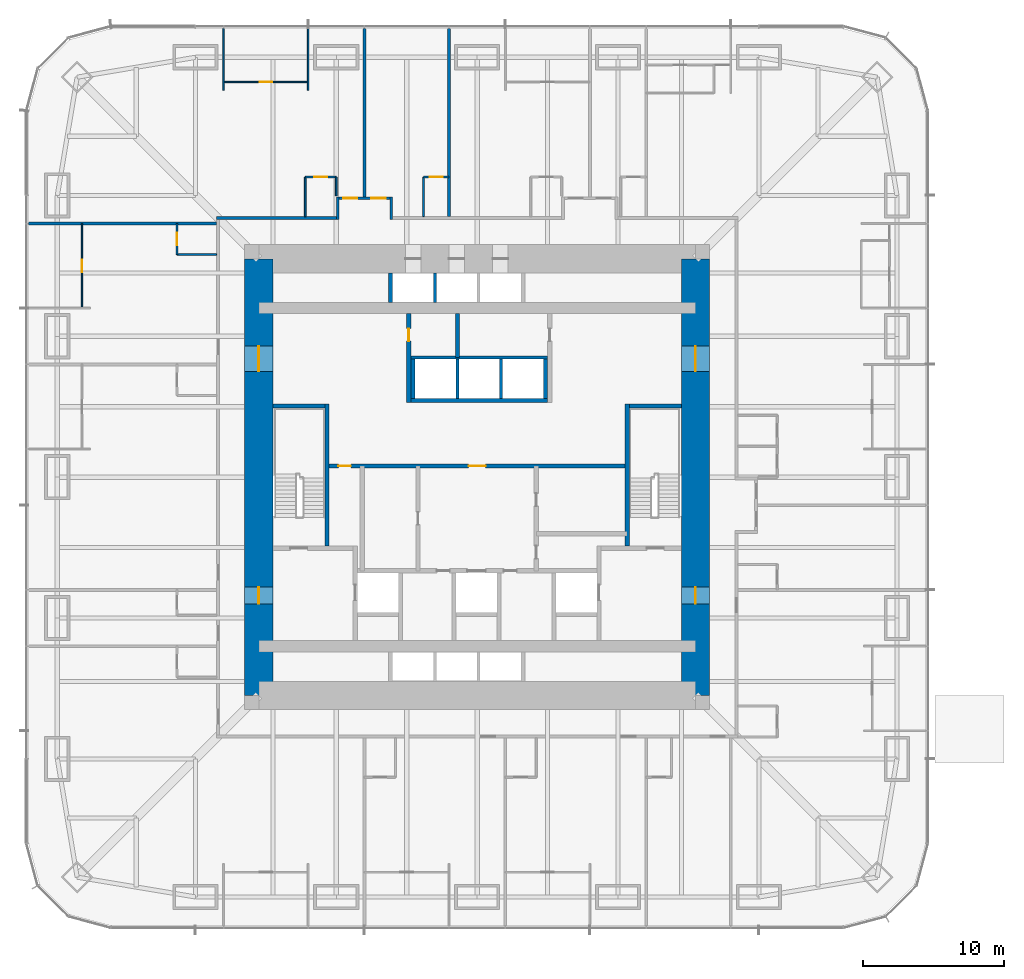
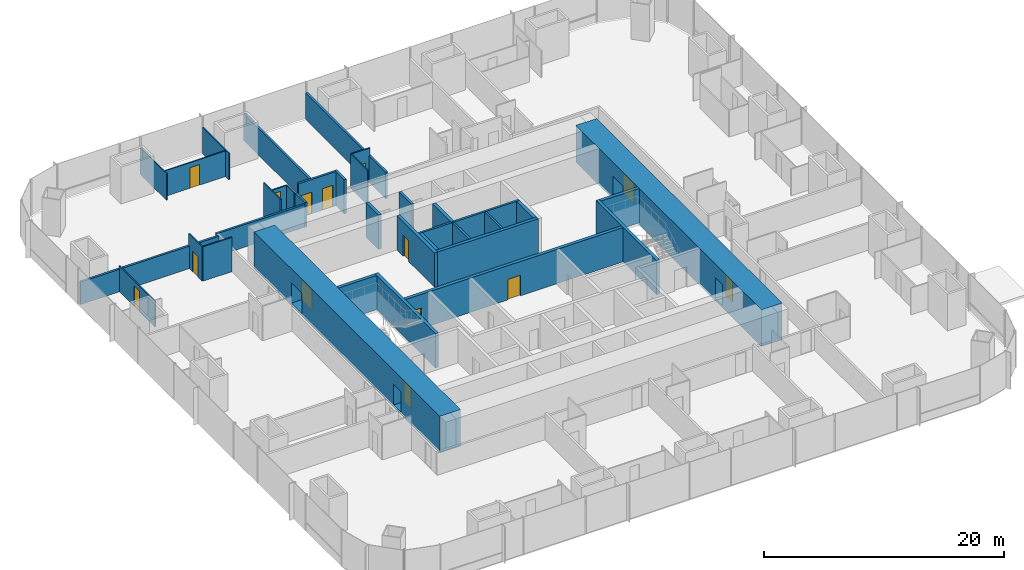
# One storey, part 17 of 20: 35 walls, 14 doors, 14 openings.
"""IFC4 building model written with IfcOpenShell, lengths in metres."""

from ifc_helpers import new_model, si_unit, direction, frame, frame_2d, origin, place, context, subcontext, project, spatial, rectangle, extrude, material, layer, layer_set, type_object, element, fill, save


model = new_model("IFC4")

# Units and contexts
model_context = context("Model", 3, precision=1e-05, world=origin(), true_north=direction((0.0, 1.0)))
body_context = subcontext(model_context, "Body", "Model", "MODEL_VIEW")
ifc_project = project(units=[si_unit("LENGTHUNIT", "METRE"), si_unit("AREAUNIT", "SQUARE_METRE"), si_unit("VOLUMEUNIT", "CUBIC_METRE"), si_unit("PLANEANGLEUNIT", "RADIAN"), si_unit("MASSUNIT", "GRAM", prefix="KILO")], contexts=[model_context])

# Site, building, storey
site_placement = place(None, origin())
site = spatial("IfcSite", under=ifc_project, at=site_placement, CompositionType="ELEMENT")
building_placement = place(site_placement, origin())
building = spatial("IfcBuilding", under=site, at=building_placement, Name="Khuree Lantern Residences", CompositionType="ELEMENT")
storey_placement = place(building_placement, frame((0.0, 0.0, 24.75)))
storey = spatial("IfcBuildingStorey", under=building, at=storey_placement, Name="L05", CompositionType="ELEMENT", Elevation=24.75)

# Wall, opening, door
ifc_material_1 = material(Name="Moisture-resistant gypsum board on steel studs", Category="steel")
ifc_layer_1 = layer(ifc_material_1, 0.125)
ifc_layer_set_1 = layer_set([ifc_layer_1], Name="BATHROOM WALL BTW125")
wall_type_1 = type_object("IfcWallType", Name="BATHROOM WALL BTW125", PredefinedType="PARTITIONING", material=ifc_layer_set_1)
wall_1_placement = place(storey_placement, frame((-2.0, 21.300048828125, 0.0), z_axis=(0.0, 0.0, 1.0), x_axis=(-1.0, 0.0, 0.0)))
wall_1 = element("IfcWall", 1, at=wall_1_placement, inside=storey, type_object=wall_type_1, Name="L05 BATHROOM WALL 05", PredefinedType="PARTITIONING", context=body_context, shape_type="SweptSolid", body=[
    extrude(rectangle(XDim=1.800048828125, YDim=0.125, at=frame_2d((0.89990234375, 0.0))), origin(), (0.0, 0.0, 1.0), 3.5),
])
opening_1_placement = place(wall_1_placement, frame((0.449951171875, 0.0, 0.0)))
opening_1 = element("IfcOpeningElement", 2, at=opening_1_placement, cuts=wall_1, Name="Opening 05-037", PredefinedType="OPENING", context=body_context, shape_type="SweptSolid", body=[
    extrude(rectangle(XDim=0.89990234375, YDim=2.10009765625, at=frame_2d((0.449951171875, 1.050048828125))), frame((0.0, 0.072509765625, 0.0), z_axis=(0.0, -1.0, 0.0), x_axis=(1.0, 0.0, 0.0)), (0.0, 0.0, 1.0), 0.14501953125),
])
ifc_material_2 = material(Name="Timber door leaf in hardwood frame", Category="wood")
door_type_1 = type_object("IfcDoorType", Name="BATHROOM DOOR 900X2100", OperationType="SINGLE_SWING_LEFT", PredefinedType="DOOR", material=ifc_material_2)
door_1_placement = place(opening_1_placement, origin())
door_1 = element("IfcDoor", 3, at=door_1_placement, inside=storey, type_object=door_type_1, Name="Bathroom door 05-037", OperationType="SINGLE_SWING_LEFT", OverallHeight=2.10009765625, OverallWidth=0.89990234375, PredefinedType="DOOR", context=body_context, shape_type="SweptSolid", body=[
    extrude(rectangle(XDim=0.89990234375, YDim=2.10009765625, at=frame_2d((0.449951171875, 1.050048828125))), frame((0.0, 0.02490234375, 0.0), z_axis=(0.0, -1.0, 0.0), x_axis=(1.0, 0.0, 0.0)), (0.0, 0.0, 1.0), 0.050048828125),
])
fill(opening_1, door_1)

# Wall
wall_2_placement = place(storey_placement, frame((-3.800048828125, 18.5, 0.0), z_axis=(0.0, 0.0, 1.0), x_axis=(0.0, 1.0, 0.0)))
element("IfcWall", 4, at=wall_2_placement, inside=storey, type_object=wall_type_1, Name="L05 BATHROOM WALL 05", PredefinedType="PARTITIONING", context=body_context, shape_type="SweptSolid", body=[
    extrude(rectangle(XDim=2.800048828125, YDim=0.125, at=frame_2d((1.39990234375, 0.0))), origin(), (0.0, 0.0, 1.0), 3.5),
])

# Wall, opening, door
wall_3_placement = place(storey_placement, frame((-10.0, 21.300048828125, 0.0), z_axis=(0.0, 0.0, 1.0), x_axis=(-1.0, 0.0, 0.0)))
wall_3 = element("IfcWall", 5, at=wall_3_placement, inside=storey, type_object=wall_type_1, Name="L05 BATHROOM WALL 06", PredefinedType="PARTITIONING", context=body_context, shape_type="SweptSolid", body=[
    extrude(rectangle(XDim=2.199951171875, YDim=0.125, at=frame_2d((1.10009765625, 0.0))), origin(), (0.0, 0.0, 1.0), 2.491943359375),
])
opening_2_placement = place(wall_3_placement, frame((0.64990234375, 0.0, 0.0)))
opening_2 = element("IfcOpeningElement", 6, at=opening_2_placement, cuts=wall_3, Name="Opening 05-040", PredefinedType="OPENING", context=body_context, shape_type="SweptSolid", body=[
    extrude(rectangle(XDim=0.89990234375, YDim=2.10009765625, at=frame_2d((0.449951171875, 1.050048828125))), frame((0.0, 0.072509765625, 0.0), z_axis=(0.0, -1.0, 0.0), x_axis=(1.0, 0.0, 0.0)), (0.0, 0.0, 1.0), 0.14501953125),
])
door_2_placement = place(opening_2_placement, origin())
door_2 = element("IfcDoor", 7, at=door_2_placement, inside=storey, type_object=door_type_1, Name="Bathroom door 05-040", OperationType="SINGLE_SWING_LEFT", OverallHeight=2.10009765625, OverallWidth=0.89990234375, PredefinedType="DOOR", context=body_context, shape_type="SweptSolid", body=[
    extrude(rectangle(XDim=0.89990234375, YDim=2.10009765625, at=frame_2d((0.449951171875, 1.050048828125))), frame((0.0, 0.02490234375, 0.0), z_axis=(0.0, -1.0, 0.0), x_axis=(1.0, 0.0, 0.0)), (0.0, 0.0, 1.0), 0.050048828125),
])
fill(opening_2, door_2)

# Walls
wall_4_placement = place(storey_placement, frame((-10.0, 19.969970703125, 0.0), z_axis=(0.0, 0.0, 1.0), x_axis=(0.0, 1.0, 0.0)))
element("IfcWall", 8, at=wall_4_placement, inside=storey, type_object=wall_type_1, Name="L05 BATHROOM WALL 06", PredefinedType="PARTITIONING", context=body_context, shape_type="SweptSolid", body=[
    extrude(rectangle(XDim=1.330078125, YDim=0.125, at=frame_2d((0.6650390625, 0.0))), origin(), (0.0, 0.0, 1.0), 2.491943359375),
])
wall_5_placement = place(storey_placement, frame((-12.199951171875, 18.5, 0.0), z_axis=(0.0, 0.0, 1.0), x_axis=(0.0, 1.0, 0.0)))
element("IfcWall", 9, at=wall_5_placement, inside=storey, type_object=wall_type_1, Name="L05 BATHROOM WALL 06", PredefinedType="PARTITIONING", context=body_context, shape_type="SweptSolid", body=[
    extrude(rectangle(XDim=2.800048828125, YDim=0.125, at=frame_2d((1.39990234375, 0.0))), origin(), (0.0, 0.0, 1.0), 3.5),
])

# Wall, opening, door
wall_6_placement = place(storey_placement, frame((-21.300048828125, 18.0, 0.0), z_axis=(0.0, 0.0, 1.0), x_axis=(0.0, -1.0, 0.0)))
wall_6 = element("IfcWall", 10, at=wall_6_placement, inside=storey, type_object=wall_type_1, Name="L05 BATHROOM WALL 07", PredefinedType="PARTITIONING", context=body_context, shape_type="SweptSolid", body=[
    extrude(rectangle(XDim=2.199951171875, YDim=0.125, at=frame_2d((1.10009765625, 0.0))), origin(), (0.0, 0.0, 1.0), 3.5),
])
opening_3_placement = place(wall_6_placement, frame((0.64990234375, 0.0, 0.0)))
opening_3 = element("IfcOpeningElement", 11, at=opening_3_placement, cuts=wall_6, Name="Opening 05-043", PredefinedType="OPENING", context=body_context, shape_type="SweptSolid", body=[
    extrude(rectangle(XDim=0.89990234375, YDim=2.10009765625, at=frame_2d((0.449951171875, 1.050048828125))), frame((0.0, 0.072509765625, 0.0), z_axis=(0.0, -1.0, 0.0), x_axis=(1.0, 0.0, 0.0)), (0.0, 0.0, 1.0), 0.14501953125),
])
door_3_placement = place(opening_3_placement, origin())
door_3 = element("IfcDoor", 12, at=door_3_placement, inside=storey, type_object=door_type_1, Name="Bathroom door 05-043", OperationType="SINGLE_SWING_LEFT", OverallHeight=2.10009765625, OverallWidth=0.89990234375, PredefinedType="DOOR", context=body_context, shape_type="SweptSolid", body=[
    extrude(rectangle(XDim=0.89990234375, YDim=2.10009765625, at=frame_2d((0.449951171875, 1.050048828125))), frame((0.0, 0.02490234375, 0.0), z_axis=(0.0, -1.0, 0.0), x_axis=(1.0, 0.0, 0.0)), (0.0, 0.0, 1.0), 0.050048828125),
])
fill(opening_3, door_3)

# Walls
wall_7_placement = place(storey_placement, frame((-18.5, 15.800048828125, 0.0), z_axis=(0.0, 0.0, 1.0), x_axis=(-1.0, 0.0, 0.0)))
element("IfcWall", 13, at=wall_7_placement, inside=storey, type_object=wall_type_1, Name="L05 BATHROOM WALL 07", PredefinedType="PARTITIONING", context=body_context, shape_type="SweptSolid", body=[
    extrude(rectangle(XDim=2.800048828125, YDim=0.125, at=frame_2d((1.39990234375, 0.0))), origin(), (0.0, 0.0, 1.0), 3.5),
])
ifc_material_3 = material(Name="Dense concrete blockwork", Category="masonry")
ifc_layer_2 = layer(ifc_material_3, 0.300048828125)
ifc_layer_set_2 = layer_set([ifc_layer_2], Name="CORE PARTITION WALL CPW300 EI 120")
wall_type_2 = type_object("IfcWallType", Name="CORE PARTITION WALL CPW300 EI 120", PredefinedType="PARTITIONING", material=ifc_layer_set_2)
wall_8_placement = place(storey_placement, frame((-4.699951171875, 5.449951171875, 0.0), z_axis=(0.0, 0.0, 1.0), x_axis=(1.0, 0.0, 0.0)))
element("IfcWall", 14, at=wall_8_placement, inside=storey, type_object=wall_type_2, Name="L05 CORE WALL PHS", PredefinedType="PARTITIONING", context=body_context, shape_type="SweptSolid", body=[
    extrude(rectangle(XDim=9.699951171875, YDim=0.300048828125, at=frame_2d((4.85009765625, 0.0))), origin(), (0.0, 0.0, 1.0), 3.5),
])
for number, where, z_axis, x_axis, name in (
    (15, (-4.550048828125, 5.60009765625, 0.0), (0.0, 0.0, 1.0), (0.0, 1.0, 0.0), "L05 CORE WALL PHW"),
    (16, (4.85009765625, 5.60009765625, 0.0), (0.0, 0.0, 1.0), (0.0, 1.0, 0.0), "L05 CORE WALL PHE"),
):
    element("IfcWall", number, at=place(storey_placement, frame(where, z_axis=z_axis, x_axis=x_axis)), inside=storey, type_object=wall_type_2, Name=name, PredefinedType="PARTITIONING", context=body_context, shape_type="SweptSolid", body=[
        extrude(rectangle(XDim=2.7998046875, YDim=0.300048828125, at=frame_2d((1.39990234375, 0.0))), origin(), (0.0, 0.0, 1.0), 3.5),
    ])
wall_9_placement = place(storey_placement, frame((-6.14990234375, 12.39990234375, 0.0), z_axis=(0.0, 0.0, 1.0), x_axis=(0.0, 1.0, 0.0)))
element("IfcWall", 17, at=wall_9_placement, inside=storey, type_object=wall_type_2, Name="L05 CORE WALL PLW", PredefinedType="PARTITIONING", context=body_context, shape_type="SweptSolid", body=[
    extrude(rectangle(XDim=2.10009765625, YDim=0.300048828125, at=frame_2d((1.050048828125, 0.0))), origin(), (0.0, 0.0, 1.0), 3.5),
])

# Wall, openings, doors
wall_10_placement = place(storey_placement, frame((-10.64990234375, 0.800048828125, 0.0), z_axis=(0.0, 0.0, 1.0), x_axis=(1.0, 0.0, 0.0)))
wall_10 = element("IfcWall", 18, at=wall_10_placement, inside=storey, type_object=wall_type_2, Name="L05 CORE WALL LLS", PredefinedType="PARTITIONING", context=body_context, shape_type="SweptSolid", body=[
    extrude(rectangle(XDim=21.2998046875, YDim=0.300048828125, at=frame_2d((10.64990234375, 0.0))), origin(), (0.0, 0.0, 1.0), 3.5),
])
opening_4_placement = place(wall_10_placement, frame((10.050048828125, 0.0, 0.0)))
opening_4 = element("IfcOpeningElement", 19, at=opening_4_placement, cuts=wall_10, Name="Opening 05-013", PredefinedType="OPENING", context=body_context, shape_type="SweptSolid", body=[
    extrude(rectangle(XDim=1.199951171875, YDim=2.10009765625, at=frame_2d((0.60009765625, 1.050048828125))), frame((0.0, 0.16015625, 0.0), z_axis=(0.0, -1.0, 0.0), x_axis=(1.0, 0.0, 0.0)), (0.0, 0.0, 1.0), 0.320068359375),
])
opening_5_placement = place(wall_10_placement, frame((0.79296875, 0.0, 0.0)))
opening_5 = element("IfcOpeningElement", 20, at=opening_5_placement, cuts=wall_10, Name="Opening 05-017", PredefinedType="OPENING", context=body_context, shape_type="SweptSolid", body=[
    extrude(rectangle(XDim=0.89990234375, YDim=2.10009765625, at=frame_2d((0.449951171875, 1.050048828125))), frame((0.0, 0.16015625, 0.0), z_axis=(0.0, -1.0, 0.0), x_axis=(1.0, 0.0, 0.0)), (0.0, 0.0, 1.0), 0.320068359375),
])
ifc_material_4 = material(Name="Steel door leaf in steel frame", Category="steel")
door_type_2 = type_object("IfcDoorType", Name="DOOR 1200X2100 EI 60", OperationType="SINGLE_SWING_LEFT", PredefinedType="DOOR", material=ifc_material_4)
door_4_placement = place(opening_4_placement, origin())
door_4 = element("IfcDoor", 21, at=door_4_placement, inside=storey, type_object=door_type_2, Name="Service lift lobby door 05-013", OperationType="SINGLE_SWING_LEFT", OverallHeight=2.10009765625, OverallWidth=1.199951171875, PredefinedType="DOOR", context=body_context, shape_type="SweptSolid", body=[
    extrude(rectangle(XDim=1.199951171875, YDim=2.10009765625, at=frame_2d((0.60009765625, 1.050048828125))), frame((0.0, 0.02490234375, 0.0), z_axis=(0.0, -1.0, 0.0), x_axis=(1.0, 0.0, 0.0)), (0.0, 0.0, 1.0), 0.050048828125),
])
fill(opening_4, door_4)
door_type_3 = type_object("IfcDoorType", Name="DOOR 900X2100", OperationType="SINGLE_SWING_LEFT", PredefinedType="DOOR", material=ifc_material_2)
door_5_placement = place(opening_5_placement, origin())
door_5 = element("IfcDoor", 22, at=door_5_placement, inside=storey, type_object=door_type_3, Name="Housekeeping store door 05-017", OperationType="SINGLE_SWING_LEFT", OverallHeight=2.10009765625, OverallWidth=0.89990234375, PredefinedType="DOOR", context=body_context, shape_type="SweptSolid", body=[
    extrude(rectangle(XDim=0.89990234375, YDim=2.10009765625, at=frame_2d((0.449951171875, 1.050048828125))), frame((0.0, 0.02490234375, 0.0), z_axis=(0.0, -1.0, 0.0), x_axis=(1.0, 0.0, 0.0)), (0.0, 0.0, 1.0), 0.050048828125),
])
fill(opening_5, door_5)

# Wall, opening, door
wall_11_placement = place(storey_placement, frame((-4.85009765625, 5.300048828125, 0.0), z_axis=(0.0, 0.0, 1.0), x_axis=(0.0, 1.0, 0.0)))
wall_11 = element("IfcWall", 23, at=wall_11_placement, inside=storey, type_object=wall_type_2, Name="L05 CORE WALL NW", PredefinedType="PARTITIONING", context=body_context, shape_type="SweptSolid", body=[
    extrude(rectangle(XDim=6.300048828125, YDim=0.300048828125, at=frame_2d((3.14990234375, 0.0))), origin(), (0.0, 0.0, 1.0), 3.5),
])
opening_6_placement = place(wall_11_placement, frame((4.35009765625, 0.0, 0.0)))
opening_6 = element("IfcOpeningElement", 24, at=opening_6_placement, cuts=wall_11, Name="Opening 05-020", PredefinedType="OPENING", context=body_context, shape_type="SweptSolid", body=[
    extrude(rectangle(XDim=0.89990234375, YDim=2.10009765625, at=frame_2d((0.449951171875, 1.050048828125))), frame((0.0, 0.16015625, 0.0), z_axis=(0.0, -1.0, 0.0), x_axis=(1.0, 0.0, 0.0)), (0.0, 0.0, 1.0), 0.320068359375),
])
door_type_4 = type_object("IfcDoorType", Name="DOOR 900X2100 RIGHT HAND", OperationType="SINGLE_SWING_RIGHT", PredefinedType="DOOR", material=ifc_material_2)
door_6_placement = place(opening_6_placement, origin())
door_6 = element("IfcDoor", 25, at=door_6_placement, inside=storey, type_object=door_type_4, Name="IT room door 05-020", OperationType="SINGLE_SWING_RIGHT", OverallHeight=2.10009765625, OverallWidth=0.89990234375, PredefinedType="DOOR", context=body_context, shape_type="SweptSolid", body=[
    extrude(rectangle(XDim=0.89990234375, YDim=2.10009765625, at=frame_2d((0.449951171875, 1.050048828125))), frame((0.0, 0.02490234375, 0.0), z_axis=(0.0, -1.0, 0.0), x_axis=(1.0, 0.0, 0.0)), (0.0, 0.0, 1.0), 0.050048828125),
])
fill(opening_6, door_6)

# Walls
wall_12_placement = place(storey_placement, frame((-1.39990234375, 8.5, 0.0), z_axis=(0.0, 0.0, 1.0), x_axis=(0.0, 1.0, 0.0)))
element("IfcWall", 26, at=wall_12_placement, inside=storey, type_object=wall_type_2, Name="L05 CORE WALL NX", PredefinedType="PARTITIONING", context=body_context, shape_type="SweptSolid", body=[
    extrude(rectangle(XDim=3.10009765625, YDim=0.300048828125, at=frame_2d((1.550048828125, 0.0))), origin(), (0.0, 0.0, 1.0), 3.5),
])
ifc_material_5 = material(Name="Gypsum board on steel studs", Category="steel")
ifc_layer_3 = layer(ifc_material_5, 0.199951171875)
ifc_layer_set_3 = layer_set([ifc_layer_3], Name="CORRIDOR WALL CRW200 EI 60")
wall_type_3 = type_object("IfcWallType", Name="CORRIDOR WALL CRW200 EI 60", PredefinedType="PARTITIONING", material=ifc_layer_set_3)
wall_13_placement = place(storey_placement, frame((-18.5, 18.39990234375, 0.0), z_axis=(0.0, 0.0, 1.0), x_axis=(1.0, 0.0, 0.0)))
element("IfcWall", 27, at=wall_13_placement, inside=storey, type_object=wall_type_3, Name="L05 CORRIDOR WALL NORTH 1", PredefinedType="PARTITIONING", context=body_context, shape_type="SweptSolid", body=[
    extrude(rectangle(XDim=8.5, YDim=0.199951171875, at=frame_2d((4.25, 0.0))), origin(), (0.0, 0.0, 1.0), 2.300048828125),
])
wall_14_placement = place(storey_placement, frame((-9.89990234375, 18.300048828125, 0.0), z_axis=(0.0, 0.0, 1.0), x_axis=(0.0, 1.0, 0.0)))
element("IfcWall", 28, at=wall_14_placement, inside=storey, type_object=wall_type_3, Name="L05 CORRIDOR ALCOVE WALL NORTH", PredefinedType="PARTITIONING", context=body_context, shape_type="SweptSolid", body=[
    extrude(rectangle(XDim=1.599853515625, YDim=0.199951171875, at=frame_2d((0.7998046875, 0.0))), origin(), (0.0, 0.0, 1.0), 2.491943359375),
])
wall_15_placement = place(storey_placement, frame((-6.10009765625, 18.300048828125, 0.0), z_axis=(0.0, 0.0, 1.0), x_axis=(0.0, 1.0, 0.0)))
element("IfcWall", 29, at=wall_15_placement, inside=storey, type_object=wall_type_3, Name="L05 CORRIDOR ALCOVE WALL NORTH", PredefinedType="PARTITIONING", context=body_context, shape_type="SweptSolid", body=[
    extrude(rectangle(XDim=1.599853515625, YDim=0.199951171875, at=frame_2d((0.7998046875, 0.0))), origin(), (0.0, 0.0, 1.0), 3.5),
])

# Wall, openings, doors
wall_16_placement = place(storey_placement, frame((-9.800048828125, 19.800048828125, 0.0), z_axis=(0.0, 0.0, 1.0), x_axis=(1.0, 0.0, 0.0)))
wall_16 = element("IfcWall", 30, at=wall_16_placement, inside=storey, type_object=wall_type_3, Name="L05 CORRIDOR ALCOVE WALL NORTH", PredefinedType="PARTITIONING", context=body_context, shape_type="SweptSolid", body=[
    extrude(rectangle(XDim=3.60009765625, YDim=0.199951171875, at=frame_2d((1.800048828125, 0.0))), origin(), (0.0, 0.0, 1.0), 3.5),
])
opening_7_placement = place(wall_16_placement, frame((2.300048828125, 0.0, 0.0)))
opening_7 = element("IfcOpeningElement", 31, at=opening_7_placement, cuts=wall_16, Name="Opening 05-038", PredefinedType="OPENING", context=body_context, shape_type="SweptSolid", body=[
    extrude(rectangle(XDim=1.0, YDim=2.199951171875, at=frame_2d((0.5, 1.10009765625))), frame((0.0, 0.10986328125, 0.0), z_axis=(0.0, -1.0, 0.0), x_axis=(1.0, 0.0, 0.0)), (0.0, 0.0, 1.0), 0.219970703125),
])
opening_8_placement = place(wall_16_placement, frame((0.300048828125, 0.0, 0.0)))
opening_8 = element("IfcOpeningElement", 32, at=opening_8_placement, cuts=wall_16, Name="Opening 05-041", PredefinedType="OPENING", context=body_context, shape_type="SweptSolid", body=[
    extrude(rectangle(XDim=1.0, YDim=2.199951171875, at=frame_2d((0.5, 1.10009765625))), frame((0.0, 0.10986328125, 0.0), z_axis=(0.0, -1.0, 0.0), x_axis=(1.0, 0.0, 0.0)), (0.0, 0.0, 1.0), 0.219970703125),
])
door_type_5 = type_object("IfcDoorType", Name="APARTMENT ENTRANCE DOOR 1000X2200 EI 30S", OperationType="SINGLE_SWING_LEFT", PredefinedType="DOOR", material=ifc_material_2)
door_7_placement = place(opening_7_placement, origin())
door_7 = element("IfcDoor", 33, at=door_7_placement, inside=storey, type_object=door_type_5, Name="Apartment 05 entrance door 05-038", OperationType="SINGLE_SWING_LEFT", OverallHeight=2.199951171875, OverallWidth=1.0, PredefinedType="DOOR", context=body_context, shape_type="SweptSolid", body=[
    extrude(rectangle(XDim=1.0, YDim=2.199951171875, at=frame_2d((0.5, 1.10009765625))), frame((0.0, 0.02490234375, 0.0), z_axis=(0.0, -1.0, 0.0), x_axis=(1.0, 0.0, 0.0)), (0.0, 0.0, 1.0), 0.050048828125),
])
fill(opening_7, door_7)
door_8_placement = place(opening_8_placement, origin())
door_8 = element("IfcDoor", 34, at=door_8_placement, inside=storey, type_object=door_type_5, Name="Apartment 06 entrance door 05-041", OperationType="SINGLE_SWING_LEFT", OverallHeight=2.199951171875, OverallWidth=1.0, PredefinedType="DOOR", context=body_context, shape_type="SweptSolid", body=[
    extrude(rectangle(XDim=1.0, YDim=2.199951171875, at=frame_2d((0.5, 1.10009765625))), frame((0.0, 0.02490234375, 0.0), z_axis=(0.0, -1.0, 0.0), x_axis=(1.0, 0.0, 0.0)), (0.0, 0.0, 1.0), 0.050048828125),
])
fill(opening_8, door_8)

ifc_material_6 = material(Name="Concrete C70/85", Category="concrete")
ifc_layer_4 = layer(ifc_material_6, 2.0)
ifc_layer_set_4 = layer_set([ifc_layer_4], Name="CW2000-C70 CORE WALL C70 2000")
wall_type_4 = type_object("IfcWallType", Name="CW2000-C70 CORE WALL C70 2000", PredefinedType="SHEAR", material=ifc_layer_set_4)
wall_17_placement = place(storey_placement, frame((15.5, -15.5, -0.25), z_axis=(0.0, 0.0, 1.0), x_axis=(0.0, 1.0, 0.0)))
wall_17 = element("IfcWall", 35, at=wall_17_placement, inside=storey, type_object=wall_type_4, Name="Core wall E", PredefinedType="SHEAR", context=body_context, shape_type="SweptSolid", body=[
    extrude(rectangle(XDim=31.0, YDim=2.0, at=frame_2d((15.5, 0.0))), origin(), (0.0, 0.0, 1.0), 3.75),
])
opening_9_placement = place(wall_17_placement, frame((6.5, 0.0, 0.25)))
opening_9 = element("IfcOpeningElement", 36, at=opening_9_placement, cuts=wall_17, Name="Opening 05-005", PredefinedType="OPENING", context=body_context, shape_type="SweptSolid", body=[
    extrude(rectangle(XDim=1.199951171875, YDim=2.10009765625, at=frame_2d((0.60009765625, 1.050048828125))), frame((0.0, 1.010009765625, 0.0), z_axis=(0.0, -1.0, 0.0), x_axis=(1.0, 0.0, 0.0)), (0.0, 0.0, 1.0), 2.02001953125),
])
opening_10_placement = place(wall_17_placement, frame((23.0, 0.0, 0.25)))
opening_10 = element("IfcOpeningElement", 37, at=opening_10_placement, cuts=wall_17, Name="Opening 05-006", PredefinedType="OPENING", context=body_context, shape_type="SweptSolid", body=[
    extrude(rectangle(XDim=1.800048828125, YDim=2.10009765625, at=frame_2d((0.89990234375, 1.050048828125))), frame((0.0, 1.010009765625, 0.0), z_axis=(0.0, -1.0, 0.0), x_axis=(1.0, 0.0, 0.0)), (0.0, 0.0, 1.0), 2.02001953125),
])
door_type_6 = type_object("IfcDoorType", Name="LOBBY DOOR 1200X2100 EI 120", OperationType="SINGLE_SWING_LEFT", PredefinedType="DOOR", material=ifc_material_4)
door_9_placement = place(opening_9_placement, origin())
door_9 = element("IfcDoor", 38, at=door_9_placement, inside=storey, type_object=door_type_6, Name="Firefighting lobby door 05-005", OperationType="SINGLE_SWING_LEFT", OverallHeight=2.10009765625, OverallWidth=1.199951171875, PredefinedType="DOOR", context=body_context, shape_type="SweptSolid", body=[
    extrude(rectangle(XDim=1.199951171875, YDim=2.10009765625, at=frame_2d((0.60009765625, 1.050048828125))), frame((0.0, 0.02490234375, 0.0), z_axis=(0.0, -1.0, 0.0), x_axis=(1.0, 0.0, 0.0)), (0.0, 0.0, 1.0), 0.050048828125),
])
fill(opening_9, door_9)
door_type_7 = type_object("IfcDoorType", Name="LOBBY DOUBLE DOOR 1800X2100 EI 60", OperationType="DOUBLE_DOOR_SINGLE_SWING", PredefinedType="DOOR", material=ifc_material_4)
door_10_placement = place(opening_10_placement, origin())
door_10 = element("IfcDoor", 39, at=door_10_placement, inside=storey, type_object=door_type_7, Name="Lift lobby door 05-006", OperationType="DOUBLE_DOOR_SINGLE_SWING", OverallHeight=2.10009765625, OverallWidth=1.800048828125, PredefinedType="DOOR", context=body_context, shape_type="SweptSolid", body=[
    extrude(rectangle(XDim=1.800048828125, YDim=2.10009765625, at=frame_2d((0.89990234375, 1.050048828125))), frame((0.0, 0.02490234375, 0.0), z_axis=(0.0, -1.0, 0.0), x_axis=(1.0, 0.0, 0.0)), (0.0, 0.0, 1.0), 0.050048828125),
])
fill(opening_10, door_10)

wall_18_placement = place(storey_placement, frame((-15.5, -15.5, -0.25), z_axis=(0.0, 0.0, 1.0), x_axis=(0.0, 1.0, 0.0)))
wall_18 = element("IfcWall", 40, at=wall_18_placement, inside=storey, type_object=wall_type_4, Name="Core wall W", PredefinedType="SHEAR", context=body_context, shape_type="SweptSolid", body=[
    extrude(rectangle(XDim=31.0, YDim=2.0, at=frame_2d((15.5, 0.0))), origin(), (0.0, 0.0, 1.0), 3.75),
])
opening_11_placement = place(wall_18_placement, frame((6.5, 0.0, 0.25)))
opening_11 = element("IfcOpeningElement", 41, at=opening_11_placement, cuts=wall_18, Name="Opening 05-002", PredefinedType="OPENING", context=body_context, shape_type="SweptSolid", body=[
    extrude(rectangle(XDim=1.199951171875, YDim=2.10009765625, at=frame_2d((0.60009765625, 1.050048828125))), frame((0.0, 1.010009765625, 0.0), z_axis=(0.0, -1.0, 0.0), x_axis=(1.0, 0.0, 0.0)), (0.0, 0.0, 1.0), 2.02001953125),
])
opening_12_placement = place(wall_18_placement, frame((23.0, 0.0, 0.25)))
opening_12 = element("IfcOpeningElement", 42, at=opening_12_placement, cuts=wall_18, Name="Opening 05-003", PredefinedType="OPENING", context=body_context, shape_type="SweptSolid", body=[
    extrude(rectangle(XDim=1.800048828125, YDim=2.10009765625, at=frame_2d((0.89990234375, 1.050048828125))), frame((0.0, 1.010009765625, 0.0), z_axis=(0.0, -1.0, 0.0), x_axis=(1.0, 0.0, 0.0)), (0.0, 0.0, 1.0), 2.02001953125),
])
door_11_placement = place(opening_11_placement, origin())
door_11 = element("IfcDoor", 43, at=door_11_placement, inside=storey, type_object=door_type_6, Name="Firefighting lobby door 05-002", OperationType="SINGLE_SWING_LEFT", OverallHeight=2.10009765625, OverallWidth=1.199951171875, PredefinedType="DOOR", context=body_context, shape_type="SweptSolid", body=[
    extrude(rectangle(XDim=1.199951171875, YDim=2.10009765625, at=frame_2d((0.60009765625, 1.050048828125))), frame((0.0, 0.02490234375, 0.0), z_axis=(0.0, -1.0, 0.0), x_axis=(1.0, 0.0, 0.0)), (0.0, 0.0, 1.0), 0.050048828125),
])
fill(opening_11, door_11)
door_12_placement = place(opening_12_placement, origin())
door_12 = element("IfcDoor", 44, at=door_12_placement, inside=storey, type_object=door_type_7, Name="Lift lobby door 05-003", OperationType="DOUBLE_DOOR_SINGLE_SWING", OverallHeight=2.10009765625, OverallWidth=1.800048828125, PredefinedType="DOOR", context=body_context, shape_type="SweptSolid", body=[
    extrude(rectangle(XDim=1.800048828125, YDim=2.10009765625, at=frame_2d((0.89990234375, 1.050048828125))), frame((0.0, 0.02490234375, 0.0), z_axis=(0.0, -1.0, 0.0), x_axis=(1.0, 0.0, 0.0)), (0.0, 0.0, 1.0), 0.050048828125),
])
fill(opening_12, door_12)

# Walls
ifc_layer_5 = layer(ifc_material_5, 0.199951171875)
ifc_layer_set_5 = layer_set([ifc_layer_5], Name="DEMISING WALL DMW200 EI 90")
wall_type_5 = type_object("IfcWallType", Name="DEMISING WALL DMW200 EI 90", PredefinedType="PARTITIONING", material=ifc_layer_set_5)
wall_19_placement = place(storey_placement, frame((-2.0, 18.5, 0.0), z_axis=(0.0, 0.0, 1.0), x_axis=(0.0, 1.0, 0.0)))
element("IfcWall", 45, at=wall_19_placement, inside=storey, type_object=wall_type_5, Name="L05 DEMISING WALL 05", PredefinedType="PARTITIONING", context=body_context, shape_type="SweptSolid", body=[
    extrude(rectangle(XDim=13.35009765625, YDim=0.199951171875, at=frame_2d((6.675048828125, 0.0))), origin(), (0.0, 0.0, 1.0), 2.7099609375),
])
wall_20_placement = place(storey_placement, frame((-8.0, 19.89990234375, 0.0), z_axis=(0.0, 0.0, 1.0), x_axis=(0.0, 1.0, 0.0)))
element("IfcWall", 46, at=wall_20_placement, inside=storey, type_object=wall_type_5, Name="L05 DEMISING WALL 06", PredefinedType="PARTITIONING", context=body_context, shape_type="SweptSolid", body=[
    extrude(rectangle(XDim=11.9501953125, YDim=0.199951171875, at=frame_2d((5.97509765625, 0.0))), origin(), (0.0, 0.0, 1.0), 2.7099609375),
])
wall_21_placement = place(storey_placement, frame((-18.5, 18.0, 0.0), z_axis=(0.0, 0.0, 1.0), x_axis=(-1.0, 0.0, 0.0)))
element("IfcWall", 47, at=wall_21_placement, inside=storey, type_object=wall_type_5, Name="L05 DEMISING WALL 07", PredefinedType="PARTITIONING", context=body_context, shape_type="SweptSolid", body=[
    extrude(rectangle(XDim=13.35009765625, YDim=0.199951171875, at=frame_2d((6.675048828125, 0.0))), origin(), (0.0, 0.0, 1.0), 2.300048828125),
])
ifc_layer_6 = layer(ifc_material_5, 0.10009765625)
ifc_layer_set_6 = layer_set([ifc_layer_6], Name="PARTITION PT100")
wall_type_6 = type_object("IfcWallType", Name="PARTITION PT100", PredefinedType="PARTITIONING", material=ifc_layer_set_6)
for number, where, z_axis, x_axis, name in (
    (48, (-12.0, 27.449951171875, 0.0), (0.0, 0.0, 1.0), (0.0, 1.0, 0.0), "L05 PARTITION 06"),
    (49, (-18.0, 27.449951171875, 0.0), (0.0, 0.0, 1.0), (0.0, 1.0, 0.0), "L05 PARTITION 06"),
):
    element("IfcWall", number, at=place(storey_placement, frame(where, z_axis=z_axis, x_axis=x_axis)), inside=storey, type_object=wall_type_6, Name=name, PredefinedType="PARTITIONING", context=body_context, shape_type="SweptSolid", body=[
        extrude(rectangle(XDim=4.400146484375, YDim=0.10009765625, at=frame_2d((2.2001953125, 0.0))), origin(), (0.0, 0.0, 1.0), 2.7099609375),
    ])

# Wall, opening, door
wall_22_placement = place(storey_placement, frame((-12.0, 28.050048828125, 0.0), z_axis=(0.0, 0.0, 1.0), x_axis=(-1.0, 0.0, 0.0)))
wall_22 = element("IfcWall", 50, at=wall_22_placement, inside=storey, type_object=wall_type_6, Name="L05 PARTITION 06", PredefinedType="PARTITIONING", context=body_context, shape_type="SweptSolid", body=[
    extrude(rectangle(XDim=6.0, YDim=0.10009765625, at=frame_2d((3.0, 0.0))), origin(), (0.0, 0.0, 1.0), 2.610107421875),
])
opening_13_placement = place(wall_22_placement, frame((2.550048828125, 0.0, 0.0)))
opening_13 = element("IfcOpeningElement", 51, at=opening_13_placement, cuts=wall_22, Name="Opening 05-039", PredefinedType="OPENING", context=body_context, shape_type="SweptSolid", body=[
    extrude(rectangle(XDim=0.89990234375, YDim=2.10009765625, at=frame_2d((0.449951171875, 1.050048828125))), frame((0.0, 0.06005859375, 0.0), z_axis=(0.0, -1.0, 0.0), x_axis=(1.0, 0.0, 0.0)), (0.0, 0.0, 1.0), 0.1201171875),
])
door_type_8 = type_object("IfcDoorType", Name="BEDROOM DOOR 900X2100", OperationType="SINGLE_SWING_LEFT", PredefinedType="DOOR", material=ifc_material_2)
door_13_placement = place(opening_13_placement, origin())
door_13 = element("IfcDoor", 52, at=door_13_placement, inside=storey, type_object=door_type_8, Name="Bedroom door 05-039", OperationType="SINGLE_SWING_LEFT", OverallHeight=2.10009765625, OverallWidth=0.89990234375, PredefinedType="DOOR", context=body_context, shape_type="SweptSolid", body=[
    extrude(rectangle(XDim=0.89990234375, YDim=2.10009765625, at=frame_2d((0.449951171875, 1.050048828125))), frame((0.0, 0.02490234375, 0.0), z_axis=(0.0, -1.0, 0.0), x_axis=(1.0, 0.0, 0.0)), (0.0, 0.0, 1.0), 0.050048828125),
])
fill(opening_13, door_13)

wall_23_placement = place(storey_placement, frame((-28.050048828125, 18.0, 0.0), z_axis=(0.0, 0.0, 1.0), x_axis=(0.0, -1.0, 0.0)))
wall_23 = element("IfcWall", 53, at=wall_23_placement, inside=storey, type_object=wall_type_6, Name="L05 PARTITION 07", PredefinedType="PARTITIONING", context=body_context, shape_type="SweptSolid", body=[
    extrude(rectangle(XDim=6.0, YDim=0.10009765625, at=frame_2d((3.0, 0.0))), origin(), (0.0, 0.0, 1.0), 2.610107421875),
])
opening_14_placement = place(wall_23_placement, frame((2.550048828125, 0.0, 0.0)))
opening_14 = element("IfcOpeningElement", 54, at=opening_14_placement, cuts=wall_23, Name="Opening 05-042", PredefinedType="OPENING", context=body_context, shape_type="SweptSolid", body=[
    extrude(rectangle(XDim=0.89990234375, YDim=2.10009765625, at=frame_2d((0.449951171875, 1.050048828125))), frame((0.0, 0.06005859375, 0.0), z_axis=(0.0, -1.0, 0.0), x_axis=(1.0, 0.0, 0.0)), (0.0, 0.0, 1.0), 0.1201171875),
])
door_14_placement = place(opening_14_placement, origin())
door_14 = element("IfcDoor", 55, at=door_14_placement, inside=storey, type_object=door_type_8, Name="Bedroom door 05-042", OperationType="SINGLE_SWING_LEFT", OverallHeight=2.10009765625, OverallWidth=0.89990234375, PredefinedType="DOOR", context=body_context, shape_type="SweptSolid", body=[
    extrude(rectangle(XDim=0.89990234375, YDim=2.10009765625, at=frame_2d((0.449951171875, 1.050048828125))), frame((0.0, 0.02490234375, 0.0), z_axis=(0.0, -1.0, 0.0), x_axis=(1.0, 0.0, 0.0)), (0.0, 0.0, 1.0), 0.050048828125),
])
fill(opening_14, door_14)

# Walls
ifc_layer_7 = layer(ifc_material_3, 0.199951171875)
ifc_layer_set_7 = layer_set([ifc_layer_7], Name="SHAFT WALL SHW200 EI 120")
wall_type_7 = type_object("IfcWallType", Name="SHAFT WALL SHW200 EI 120", PredefinedType="PARTITIONING", material=ifc_layer_set_7)
wall_24_placement = place(storey_placement, frame((-4.699951171875, 8.5, 0.0), z_axis=(0.0, 0.0, 1.0), x_axis=(1.0, 0.0, 0.0)))
element("IfcWall", 56, at=wall_24_placement, inside=storey, type_object=wall_type_7, Name="L05 CORE WALL PHN", PredefinedType="PARTITIONING", context=body_context, shape_type="SweptSolid", body=[
    extrude(rectangle(XDim=9.699951171875, YDim=0.199951171875, at=frame_2d((4.85009765625, 0.0))), origin(), (0.0, 0.0, 1.0), 3.5),
])
for number, where, z_axis, x_axis, name in (
    (57, (-1.39990234375, 5.60009765625, 0.0), (0.0, 0.0, 1.0), (0.0, 1.0, 0.0), "L05 CORE WALL PHD1"),
    (58, (1.699951171875, 5.60009765625, 0.0), (0.0, 0.0, 1.0), (0.0, 1.0, 0.0), "L05 CORE WALL PHD2"),
):
    element("IfcWall", number, at=place(storey_placement, frame(where, z_axis=z_axis, x_axis=x_axis)), inside=storey, type_object=wall_type_7, Name=name, PredefinedType="PARTITIONING", context=body_context, shape_type="SweptSolid", body=[
        extrude(rectangle(XDim=2.7998046875, YDim=0.199951171875, at=frame_2d((1.39990234375, 0.0))), origin(), (0.0, 0.0, 1.0), 3.5),
    ])
wall_25_placement = place(storey_placement, frame((-3.0, 12.39990234375, 0.0), z_axis=(0.0, 0.0, 1.0), x_axis=(0.0, 1.0, 0.0)))
element("IfcWall", 59, at=wall_25_placement, inside=storey, type_object=wall_type_7, Name="L05 CORE WALL PLD1", PredefinedType="PARTITIONING", context=body_context, shape_type="SweptSolid", body=[
    extrude(rectangle(XDim=2.10009765625, YDim=0.199951171875, at=frame_2d((1.050048828125, 0.0))), origin(), (0.0, 0.0, 1.0), 3.5),
])
ifc_material_7 = material(Name="Concrete C50/60", Category="concrete")
ifc_layer_8 = layer(ifc_material_7, 0.300048828125)
ifc_layer_set_8 = layer_set([ifc_layer_8], Name="STAIR WALL SRW300 C50/60 REI 240")
wall_type_8 = type_object("IfcWallType", Name="STAIR WALL SRW300 C50/60 REI 240", PredefinedType="SOLIDWALL", material=ifc_layer_set_8)
wall_26_placement = place(storey_placement, frame((-10.64990234375, -4.89990234375, 0.0), z_axis=(0.0, 0.0, 1.0), x_axis=(0.0, 1.0, 0.0)))
element("IfcWall", 60, at=wall_26_placement, inside=storey, type_object=wall_type_8, Name="L05 STAIR WALL ST1E", PredefinedType="SOLIDWALL", context=body_context, shape_type="SweptSolid", body=[
    extrude(rectangle(XDim=10.099853515625, YDim=0.300048828125, at=frame_2d((5.0498046875, 0.0))), origin(), (0.0, 0.0, 1.0), 3.5),
])
wall_27_placement = place(storey_placement, frame((-14.5, 5.050048828125, 0.0), z_axis=(0.0, 0.0, 1.0), x_axis=(1.0, 0.0, 0.0)))
element("IfcWall", 61, at=wall_27_placement, inside=storey, type_object=wall_type_8, Name="L05 STAIR WALL ST1N", PredefinedType="SOLIDWALL", context=body_context, shape_type="SweptSolid", body=[
    extrude(rectangle(XDim=3.699951171875, YDim=0.300048828125, at=frame_2d((1.85009765625, 0.0))), origin(), (0.0, 0.0, 1.0), 3.5),
])
wall_28_placement = place(storey_placement, frame((10.64990234375, -4.89990234375, 0.0), z_axis=(0.0, 0.0, 1.0), x_axis=(0.0, 1.0, 0.0)))
element("IfcWall", 62, at=wall_28_placement, inside=storey, type_object=wall_type_8, Name="L05 STAIR WALL ST2E", PredefinedType="SOLIDWALL", context=body_context, shape_type="SweptSolid", body=[
    extrude(rectangle(XDim=10.099853515625, YDim=0.300048828125, at=frame_2d((5.0498046875, 0.0))), origin(), (0.0, 0.0, 1.0), 3.5),
])
wall_29_placement = place(storey_placement, frame((14.5, 5.050048828125, 0.0), z_axis=(0.0, 0.0, 1.0), x_axis=(-1.0, 0.0, 0.0)))
element("IfcWall", 63, at=wall_29_placement, inside=storey, type_object=wall_type_8, Name="L05 STAIR WALL ST2N", PredefinedType="SOLIDWALL", context=body_context, shape_type="SweptSolid", body=[
    extrude(rectangle(XDim=3.699951171875, YDim=0.300048828125, at=frame_2d((1.85009765625, 0.0))), origin(), (0.0, 0.0, 1.0), 3.5),
])

save(model, "model.ifc")
